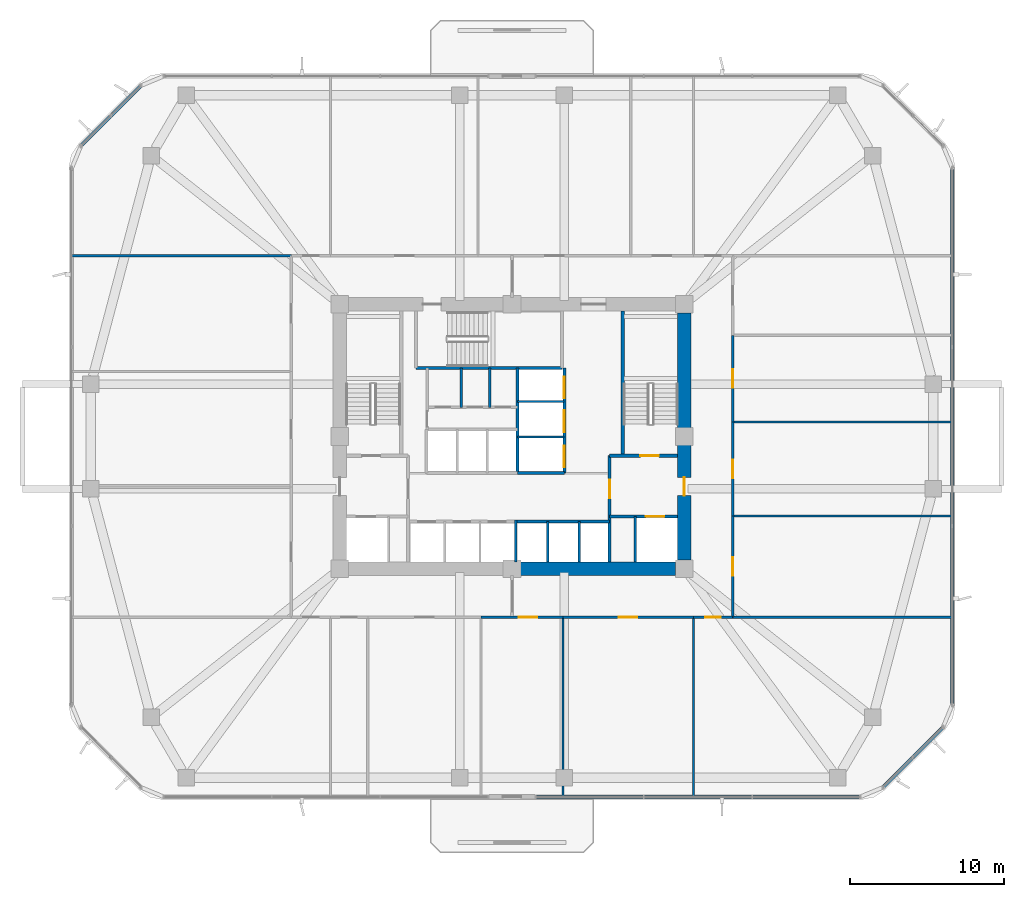
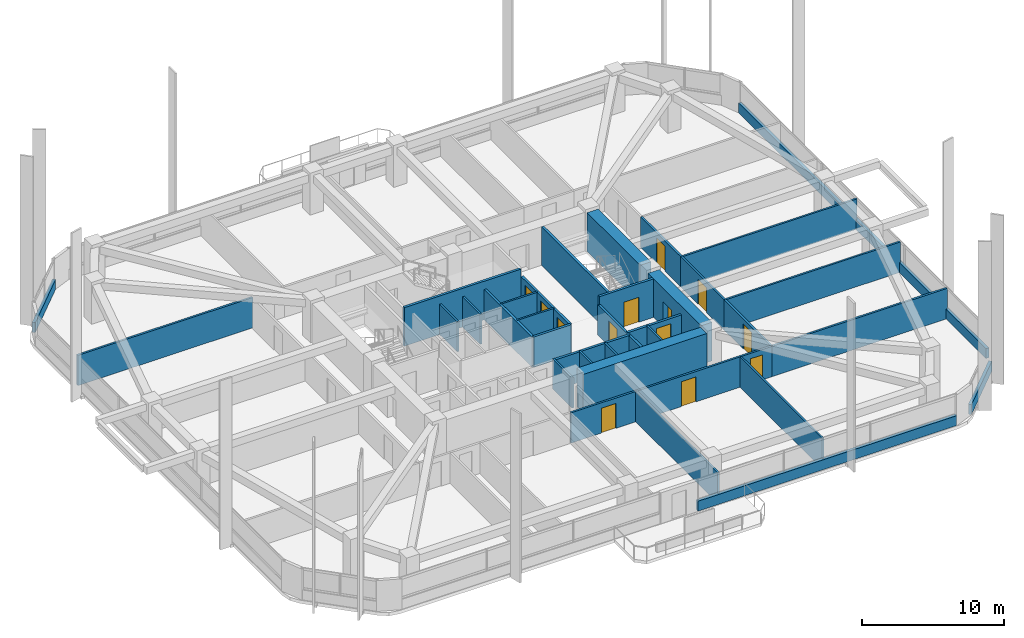
# One storey, part 10 of 17: 36 walls, 13 doors, 13 openings.
"""IFC4 building model written with IfcOpenShell, lengths in metres."""

import ifcopenshell
import ifcopenshell.guid

model = None  # the IFC model being written
_history = None  # IfcOwnerHistory: only IFC2X3 demands one
_inside = {}  # id of a spatial element -> (the spatial element, [elements in it])
_under = {}  # id of a project, library or spatial element -> (it, [spatial elements below it])
_declared = {}  # id of a project -> (the project, [libraries it declares])
_typed = {}  # id of a type object -> (the type object, [elements of that type])
_made_of = {}  # id of a material, layer set ... -> (it, [elements and type objects made of it])


def new_model(schema):
    """Start an empty IFC model of exactly this schema.

    Asked for "IFC4X3", IfcOpenShell would pick the latest addendum, in which some entities
    have other attributes; the version numbers below select the first issue.
    IFC2X3 requires an IfcOwnerHistory on every rooted entity: one is made here for all.
    """
    global model, _history
    if schema == "IFC4X3":
        model = ifcopenshell.file(schema_version=(4, 3, 0, 0))
    else:
        model = ifcopenshell.file(schema=schema)
    _inside.clear()
    _under.clear()
    _declared.clear()
    _typed.clear()
    _made_of.clear()
    _history = None
    if model.schema == "IFC2X3":
        org = make("IfcOrganization", Name="unknown")
        user = make(
            "IfcPersonAndOrganization",
            ThePerson=make("IfcPerson", FamilyName="unknown"),
            TheOrganization=org,
        )
        app = make(
            "IfcApplication",
            ApplicationDeveloper=org,
            Version="unknown",
            ApplicationFullName="unknown",
            ApplicationIdentifier="unknown",
        )
        _history = make(
            "IfcOwnerHistory",
            OwningUser=user,
            OwningApplication=app,
            ChangeAction="ADDED",
            CreationDate=0,
        )
    return model


def make(cls, **values):
    """One entity of the class cls with the attributes given. An attribute that is None is left unset."""
    return model.create_entity(
        cls, **{name: value for name, value in values.items() if value is not None}
    )


def rooted(cls, **values):
    """An entity with a GlobalId (a new one), such as an element, a storey or a relation."""
    return make(cls, GlobalId=ifcopenshell.guid.new(), OwnerHistory=_history, **values)


def si_unit(unit_type, name, prefix=None):
    """IfcSIUnit, for example si_unit("LENGTHUNIT", "METRE", prefix="MILLI")."""
    return make("IfcSIUnit", UnitType=unit_type, Prefix=prefix, Name=name)


def derived_unit(unit_type, elements):
    """IfcDerivedUnit: a product of units, each with its exponent."""
    return make(
        "IfcDerivedUnit",
        Elements=[
            make("IfcDerivedUnitElement", Unit=unit, Exponent=power)
            for unit, power in elements
        ],
        UnitType=unit_type,
    )


def assignment(units):
    """IfcUnitAssignment: the units of a project."""
    return None if units is None else make("IfcUnitAssignment", Units=units)


def point(xyz):
    """IfcCartesianPoint."""
    return None if xyz is None else make("IfcCartesianPoint", Coordinates=xyz)


def direction(xyz):
    """IfcDirection."""
    return None if xyz is None else make("IfcDirection", DirectionRatios=xyz)


def frame(location, z_axis=None, x_axis=None):
    """IfcAxis2Placement3D, a coordinate frame: its origin and axes. An axis left out is left unset."""
    return make(
        "IfcAxis2Placement3D",
        Location=point(location),
        Axis=direction(z_axis),
        RefDirection=direction(x_axis),
    )


def frame_2d(location, x_axis=None):
    """IfcAxis2Placement2D, a coordinate frame in the plane: its origin and x axis."""
    return make(
        "IfcAxis2Placement2D", Location=point(location), RefDirection=direction(x_axis)
    )


def origin():
    """The frame at (0, 0, 0) with its axes left unset."""
    return frame((0.0, 0.0, 0.0))


def place(relative_to, where):
    """IfcLocalPlacement: puts the frame where relative to a parent placement (None: the world)."""
    return make(
        "IfcLocalPlacement", PlacementRelTo=relative_to, RelativePlacement=where
    )


def context(
    kind, dimensions, precision=None, world=None, true_north=None, identifier=None
):
    """IfcGeometricRepresentationContext, for example the 3D "Model" context."""
    return make(
        "IfcGeometricRepresentationContext",
        ContextIdentifier=identifier,
        ContextType=kind,
        CoordinateSpaceDimension=dimensions,
        Precision=precision,
        WorldCoordinateSystem=world,
        TrueNorth=true_north,
    )


def subcontext(parent, identifier, kind, view, scale=None):
    """IfcGeometricRepresentationSubContext, for example "Body" below "Model"."""
    return make(
        "IfcGeometricRepresentationSubContext",
        ContextIdentifier=identifier,
        ContextType=kind,
        ParentContext=parent,
        TargetScale=scale,
        TargetView=view,
    )


def project(units=None, contexts=None):
    """IfcProject with its units and contexts."""
    return rooted(
        "IfcProject",
        Name="project",
        RepresentationContexts=contexts,
        UnitsInContext=assignment(units),
    )


def spatial(cls, under=None, at=None, **own):
    """A site, building, storey or space (cls), placed at a placement, below another one or the project."""
    s = rooted(cls, ObjectPlacement=at, **own)
    if under is not None:
        _under.setdefault(under.id(), (under, []))[1].append(s)
    return s


def profile(cls, at=None, kind="AREA", **sizes):
    """A parametric profile (cls). Its sizes go by their IFC names, for example OverallWidth=200.0."""
    return make(cls, ProfileType=kind, Position=at, **sizes)


def rectangle(**sizes):
    """IfcRectangleProfileDef."""
    return profile("IfcRectangleProfileDef", **sizes)


def extrude(swept, where, along, depth):
    """IfcExtrudedAreaSolid: the profile swept, set in the frame where, extruded along a direction by depth."""
    return make(
        "IfcExtrudedAreaSolid",
        SweptArea=swept,
        Position=where,
        ExtrudedDirection=direction(along),
        Depth=depth,
    )


def shape(context_of_items, identifier, shape_type, items):
    """IfcShapeRepresentation: the items that make up one representation, for example the "Body"."""
    return make(
        "IfcShapeRepresentation",
        ContextOfItems=context_of_items,
        RepresentationIdentifier=identifier,
        RepresentationType=shape_type,
        Items=items,
    )


def material(Name=None, Category=None):
    """IfcMaterial."""
    return make("IfcMaterial", Name=Name, Category=Category)


def layer(
    of_material, thickness, ventilated=None, Name=None, Category=None, Priority=None
):
    """IfcMaterialLayer: one layer of a wall or slab, of a material (None: an air gap)."""
    return make(
        "IfcMaterialLayer",
        Material=of_material,
        LayerThickness=thickness,
        IsVentilated=ventilated,
        Name=Name,
        Category=Category,
        Priority=Priority,
    )


def layer_set(layers, Name=None):
    """IfcMaterialLayerSet."""
    return make("IfcMaterialLayerSet", MaterialLayers=layers, LayerSetName=Name)


def made_of(thing, what):
    """Note that an element or type object is made of a material, layer set ...; save() writes the relation."""
    if what is not None:
        _made_of.setdefault(what.id(), (what, []))[1].append(thing)
    return thing


def type_object(cls, material=None, **own):
    """A type object (cls), such as IfcWallType, which elements share."""
    return made_of(rooted(cls, **own), material)


def element(
    cls,
    number,
    at=None,
    inside=None,
    cuts=None,
    type_object=None,
    material=None,
    context=None,
    identifier="Body",
    shape_type=None,
    held_by="IfcProductDefinitionShape",
    body=None,
    shapes=None,
    **own,
):
    """One element of the class cls, such as IfcWall. Its Tag is "e" and its number.

    at: its placement. inside: the storey or other place that contains it. cuts: it is an
    opening in that element (IfcRelVoidsElement). A single representation is given by context,
    identifier, shape_type and body (its items); several are given by shapes. held_by: the class
    of the entity that holds the representations. save() writes the other relations.
    """
    e = rooted(cls, Tag="e%d" % number, ObjectPlacement=at, **own)
    if body is not None:
        shapes = [shape(context, identifier, shape_type, body)]
    if shapes is not None:
        e.Representation = make(held_by, Representations=shapes)
    if inside is not None:
        _inside.setdefault(inside.id(), (inside, []))[1].append(e)
    if cuts is not None:
        rooted(
            "IfcRelVoidsElement", RelatingBuildingElement=cuts, RelatedOpeningElement=e
        )
    if type_object is not None:
        _typed.setdefault(type_object.id(), (type_object, []))[1].append(e)
    return made_of(e, material)


def fill(opening, filler):
    """IfcRelFillsElement: the door or window that sits in an opening."""
    return rooted(
        "IfcRelFillsElement",
        RelatingOpeningElement=opening,
        RelatedBuildingElement=filler,
    )


def aggregate(whole, parts):
    """IfcRelAggregates: a whole, such as a stair, and the parts it consists of."""
    return rooted("IfcRelAggregates", RelatingObject=whole, RelatedObjects=parts)


def save(model, path):
    """Write the relations noted so far, then the file.

    IfcRelAggregates (storeys below a building ...), IfcRelContainedInSpatialStructure (elements
    in a storey), IfcRelDefinesByType, IfcRelAssociatesMaterial and IfcRelDeclares: one each for
    every whole, place, type object, material and project.
    """
    for whole, parts in _under.values():
        aggregate(whole, parts)
    for where, things in _inside.values():
        rooted(
            "IfcRelContainedInSpatialStructure",
            RelatedElements=things,
            RelatingStructure=where,
        )
    for kind, things in _typed.values():
        rooted("IfcRelDefinesByType", RelatedObjects=things, RelatingType=kind)
    for what, things in _made_of.values():
        rooted("IfcRelAssociatesMaterial", RelatedObjects=things, RelatingMaterial=what)
    for by, libraries in _declared.values():
        rooted("IfcRelDeclares", RelatingContext=by, RelatedDefinitions=libraries)
    model.write(path)


model = new_model("IFC4")

# Units and contexts
model_context = context("Model", 3, precision=1e-05, world=origin(), true_north=direction((0.0, 1.0)))
body_context = subcontext(model_context, "Body", "Model", "MODEL_VIEW")
ifc_project = project(units=[si_unit("LENGTHUNIT", "METRE"), si_unit("AREAUNIT", "SQUARE_METRE"), si_unit("VOLUMEUNIT", "CUBIC_METRE"), si_unit("PLANEANGLEUNIT", "RADIAN"), si_unit("MASSUNIT", "GRAM", prefix="KILO"), derived_unit("THERMALTRANSMITTANCEUNIT", [(si_unit("POWERUNIT", "WATT"), 1), (si_unit("LENGTHUNIT", "METRE"), -2), (si_unit("THERMODYNAMICTEMPERATUREUNIT", "KELVIN"), -1)])], contexts=[model_context])

# Site, building, storey
site_placement = place(None, origin())
site = spatial("IfcSite", under=ifc_project, at=site_placement, CompositionType="ELEMENT")
building_placement = place(site_placement, origin())
building = spatial("IfcBuilding", under=site, at=building_placement, Name="Koralith Skygarden Medical Center", CompositionType="ELEMENT")
storey_placement = place(building_placement, frame((0.0, 0.0, 23.93994140625)))
storey = spatial("IfcBuildingStorey", under=building, at=storey_placement, Name="L05", CompositionType="ELEMENT", Elevation=23.93994140625)

# Walls
ifc_material_1 = material(Name="Gypsum Board Partition")
ifc_layer_1 = layer(ifc_material_1, 0.14990234375)
ifc_layer_set_1 = layer_set([ifc_layer_1], Name="Gypsum Board Partition")
wall_type_1 = type_object("IfcWallType", Name="Clinical Acoustic Partition 150", PredefinedType="PARTITIONING", material=ifc_layer_set_1)
for number, where, z_axis, x_axis, name in (
    (1, (33.699951171875, 27.800048828125, 0.0), (0.0, 0.0, 1.0), (0.0, 1.0, 0.0), "L05 Clinical Acoustic Partition 150 W-CORE-L05-FLEX-V2A"),
    (2, (35.56005859375, 27.800048828125, 0.0), (0.0, 0.0, 1.0), (0.0, 1.0, 0.0), "L05 Clinical Acoustic Partition 150 W-CORE-L05-FLEX-V2B"),
):
    element("IfcWall", number, at=place(storey_placement, frame(where, z_axis=z_axis, x_axis=x_axis)), inside=storey, type_object=wall_type_1, Name=name, PredefinedType="PARTITIONING", context=body_context, shape_type="SweptSolid", body=[
        extrude(rectangle(XDim=2.56005859375, YDim=0.14990234375, at=frame_2d((1.280029296875, 0.0))), origin(), (0.0, 0.0, 1.0), 2.610107421875),
    ])
for number, where, z_axis, x_axis, name in (
    (3, (40.31005859375, 14.14990234375, 0.0), (0.0, 0.0, 1.0), (0.0, -1.0, 0.0), "L05 Clinical Acoustic Partition 150 W-PART-L05-S-04"),
    (4, (48.800048828125, 14.14990234375, 0.0), (0.0, 0.0, 1.0), (0.0, -1.0, 0.0), "L05 Clinical Acoustic Partition 150 W-PART-L05-S-05"),
):
    element("IfcWall", number, at=place(storey_placement, frame(where, z_axis=z_axis, x_axis=x_axis)), inside=storey, type_object=wall_type_1, Name=name, PredefinedType="PARTITIONING", context=body_context, shape_type="SweptSolid", body=[
        extrude(rectangle(XDim=11.64990234375, YDim=0.14990234375, at=frame_2d((5.824951171875, 0.0))), origin(), (0.0, 0.0, 1.0), 2.610107421875),
    ])
for number, where, z_axis, x_axis, name in (
    (5, (51.35009765625, 20.72998046875, 0.0), (0.0, 0.0, 1.0), (1.0, 0.0, 0.0), "L05 Clinical Acoustic Partition 150 W-PART-L05-E-01"),
    (6, (51.35009765625, 26.840087890625, 0.0), (0.0, 0.0, 1.0), (1.0, 0.0, 0.0), "L05 Clinical Acoustic Partition 150 W-PART-L05-E-02"),
):
    element("IfcWall", number, at=place(storey_placement, frame(where, z_axis=z_axis, x_axis=x_axis)), inside=storey, type_object=wall_type_1, Name=name, PredefinedType="PARTITIONING", context=body_context, shape_type="SweptSolid", body=[
        extrude(rectangle(XDim=14.25, YDim=0.14990234375, at=frame_2d((7.125, 0.0))), origin(), (0.0, 0.0, 1.0), 2.610107421875),
    ])
ifc_layer_2 = layer(ifc_material_1, 0.1650390625)
ifc_layer_set_2 = layer_set([ifc_layer_2], Name="Gypsum Board Partition")
wall_type_2 = type_object("IfcWallType", Name="Clinical Corridor Partition 165", PredefinedType="PARTITIONING", material=ifc_layer_set_2)
for number, where, z_axis, x_axis, name in (
    (7, (8.39990234375, 37.64990234375, 0.0), (0.0, 0.0, 1.0), (1.0, 0.0, 0.0), "L05 Clinical Corridor Partition 165 W-WB-L05-NW"),
    (8, (51.35009765625, 14.14990234375, 0.0), (0.0, 0.0, 1.0), (1.0, 0.0, 0.0), "L05 Clinical Corridor Partition 165 W-WB-L05-SE"),
):
    element("IfcWall", number, at=place(storey_placement, frame(where, z_axis=z_axis, x_axis=x_axis)), inside=storey, type_object=wall_type_2, Name=name, PredefinedType="PARTITIONING", context=body_context, shape_type="SweptSolid", body=[
        extrude(rectangle(XDim=14.25, YDim=0.1650390625, at=frame_2d((7.125, 0.0))), origin(), (0.0, 0.0, 1.0), 2.610107421875),
    ])

# Wall, opening, door
wall_1_placement = place(storey_placement, frame((34.98095703125, 14.14990234375, 0.0), z_axis=(0.0, 0.0, 1.0), x_axis=(1.0, 0.0, 0.0)))
wall_1 = element("IfcWall", 9, at=wall_1_placement, inside=storey, type_object=wall_type_2, Name="L05 Clinical Corridor Partition 165 W-CORR-L05-S-04", PredefinedType="PARTITIONING", context=body_context, shape_type="SweptSolid", body=[
    extrude(rectangle(XDim=5.3291015625, YDim=0.1650390625, at=frame_2d((2.66455078125, 0.0))), origin(), (0.0, 0.0, 1.0), 2.610107421875),
])
opening_1_placement = place(wall_1_placement, frame((2.4619140625, 0.0, 0.0)))
opening_1 = element("IfcOpeningElement", 10, at=opening_1_placement, cuts=wall_1, Name="Opening D-CLN", PredefinedType="OPENING", context=body_context, shape_type="SweptSolid", body=[
    extrude(rectangle(XDim=1.199951171875, YDim=2.14990234375, at=frame_2d((0.60009765625, 1.074951171875))), frame((0.0, 0.092529296875, 0.0), z_axis=(0.0, -1.0, 0.0), x_axis=(1.0, 0.0, 0.0)), (0.0, 0.0, 1.0), 0.18505859375),
])
ifc_material_2 = material(Name="Aluminium 6063-T6", Category="aluminium")
door_type_1 = type_object("IfcDoorType", Name="Clinical Corridor Door D-CLN 1200", OperationType="NOTDEFINED", PredefinedType="DOOR", material=ifc_material_2)
door_1_placement = place(opening_1_placement, frame((1.199951171875, 0.0, 0.0), z_axis=(0.0, 0.0, 1.0), x_axis=(-1.0, 0.0, 0.0)))
door_1 = element("IfcDoor", 11, at=door_1_placement, inside=storey, type_object=door_type_1, Name="L05 Patient and Family Sky-Garden Day Lounge 09 Door", OperationType="SINGLE_SWING_RIGHT", OverallHeight=2.14990234375, OverallWidth=1.199951171875, PredefinedType="DOOR", context=body_context, shape_type="SweptSolid", body=[
    extrude(rectangle(XDim=1.199951171875, YDim=2.14990234375, at=frame_2d((0.60009765625, 1.074951171875))), frame((0.0, 0.02490234375, 0.0), z_axis=(0.0, -1.0, 0.0), x_axis=(1.0, 0.0, 0.0)), (0.0, 0.0, 1.0), 0.050048828125),
])
fill(opening_1, door_1)

wall_2_placement = place(storey_placement, frame((40.31005859375, 14.14990234375, 0.0), z_axis=(0.0, 0.0, 1.0), x_axis=(1.0, 0.0, 0.0)))
wall_2 = element("IfcWall", 12, at=wall_2_placement, inside=storey, type_object=wall_type_2, Name="L05 Clinical Corridor Partition 165 W-CORR-L05-S-05", PredefinedType="PARTITIONING", context=body_context, shape_type="SweptSolid", body=[
    extrude(rectangle(XDim=8.489990234375, YDim=0.1650390625, at=frame_2d((4.2451171875, 0.0))), origin(), (0.0, 0.0, 1.0), 2.610107421875),
])
opening_2_placement = place(wall_2_placement, frame((3.64501953125, 0.0, 0.0)))
opening_2 = element("IfcOpeningElement", 13, at=opening_2_placement, cuts=wall_2, Name="Opening D-CLN", PredefinedType="OPENING", context=body_context, shape_type="SweptSolid", body=[
    extrude(rectangle(XDim=1.199951171875, YDim=2.14990234375, at=frame_2d((0.60009765625, 1.074951171875))), frame((0.0, 0.092529296875, 0.0), z_axis=(0.0, -1.0, 0.0), x_axis=(1.0, 0.0, 0.0)), (0.0, 0.0, 1.0), 0.18505859375),
])
door_2_placement = place(opening_2_placement, frame((1.199951171875, 0.0, 0.0), z_axis=(0.0, 0.0, 1.0), x_axis=(-1.0, 0.0, 0.0)))
door_2 = element("IfcDoor", 14, at=door_2_placement, inside=storey, type_object=door_type_1, Name="L05 Clinical Consultation Office 10 Door", OperationType="SINGLE_SWING_LEFT", OverallHeight=2.14990234375, OverallWidth=1.199951171875, PredefinedType="DOOR", context=body_context, shape_type="SweptSolid", body=[
    extrude(rectangle(XDim=1.199951171875, YDim=2.14990234375, at=frame_2d((0.60009765625, 1.074951171875))), frame((0.0, 0.02490234375, 0.0), z_axis=(0.0, -1.0, 0.0), x_axis=(1.0, 0.0, 0.0)), (0.0, 0.0, 1.0), 0.050048828125),
])
fill(opening_2, door_2)

wall_3_placement = place(storey_placement, frame((48.800048828125, 14.14990234375, 0.0), z_axis=(0.0, 0.0, 1.0), x_axis=(1.0, 0.0, 0.0)))
wall_3 = element("IfcWall", 15, at=wall_3_placement, inside=storey, type_object=wall_type_2, Name="L05 Clinical Corridor Partition 165 W-CORR-L05-S-06", PredefinedType="PARTITIONING", context=body_context, shape_type="SweptSolid", body=[
    extrude(rectangle(XDim=2.550048828125, YDim=0.1650390625, at=frame_2d((1.27490234375, 0.0))), origin(), (0.0, 0.0, 1.0), 2.610107421875),
])
opening_3_placement = place(wall_3_placement, frame((0.77490234375, 0.0, 0.0)))
opening_3 = element("IfcOpeningElement", 16, at=opening_3_placement, cuts=wall_3, Name="Opening D-SUP", PredefinedType="OPENING", context=body_context, shape_type="SweptSolid", body=[
    extrude(rectangle(XDim=1.0, YDim=2.14990234375, at=frame_2d((0.5, 1.074951171875))), frame((0.0, 0.092529296875, 0.0), z_axis=(0.0, -1.0, 0.0), x_axis=(1.0, 0.0, 0.0)), (0.0, 0.0, 1.0), 0.18505859375),
])
door_type_2 = type_object("IfcDoorType", Name="Clinical Support Door D-SUP 1000", OperationType="NOTDEFINED", PredefinedType="DOOR", material=ifc_material_2)
door_3_placement = place(opening_3_placement, frame((1.0, 0.0, 0.0), z_axis=(0.0, 0.0, 1.0), x_axis=(-1.0, 0.0, 0.0)))
door_3 = element("IfcDoor", 17, at=door_3_placement, inside=storey, type_object=door_type_2, Name="L05 Decentralized Nurse Charting Station 11 Door", OperationType="SINGLE_SWING_RIGHT", OverallHeight=2.14990234375, OverallWidth=1.0, PredefinedType="DOOR", context=body_context, shape_type="SweptSolid", body=[
    extrude(rectangle(XDim=1.0, YDim=2.14990234375, at=frame_2d((0.5, 1.074951171875))), frame((0.0, 0.02490234375, 0.0), z_axis=(0.0, -1.0, 0.0), x_axis=(1.0, 0.0, 0.0)), (0.0, 0.0, 1.0), 0.050048828125),
])
fill(opening_3, door_3)

wall_4_placement = place(storey_placement, frame((51.35009765625, 14.14990234375, 0.0), z_axis=(0.0, 0.0, 1.0), x_axis=(0.0, 1.0, 0.0)))
wall_4 = element("IfcWall", 18, at=wall_4_placement, inside=storey, type_object=wall_type_2, Name="L05 Clinical Corridor Partition 165 W-CORR-L05-E-01", PredefinedType="PARTITIONING", context=body_context, shape_type="SweptSolid", body=[
    extrude(rectangle(XDim=6.580078125, YDim=0.1650390625, at=frame_2d((3.2900390625, 0.0))), origin(), (0.0, 0.0, 1.0), 2.610107421875),
])
opening_4_placement = place(wall_4_placement, frame((2.68994140625, 0.0, 0.0)))
opening_4 = element("IfcOpeningElement", 19, at=opening_4_placement, cuts=wall_4, Name="Opening D-CLN", PredefinedType="OPENING", context=body_context, shape_type="SweptSolid", body=[
    extrude(rectangle(XDim=1.199951171875, YDim=2.14990234375, at=frame_2d((0.60009765625, 1.074951171875))), frame((0.0, 0.092529296875, 0.0), z_axis=(0.0, -1.0, 0.0), x_axis=(1.0, 0.0, 0.0)), (0.0, 0.0, 1.0), 0.18505859375),
])
door_4_placement = place(opening_4_placement, origin())
door_4 = element("IfcDoor", 20, at=door_4_placement, inside=storey, type_object=door_type_1, Name="L05 Decentralized Nurse Charting Station 15 Door", OperationType="SINGLE_SWING_RIGHT", OverallHeight=2.14990234375, OverallWidth=1.199951171875, PredefinedType="DOOR", context=body_context, shape_type="SweptSolid", body=[
    extrude(rectangle(XDim=1.199951171875, YDim=2.14990234375, at=frame_2d((0.60009765625, 1.074951171875))), frame((0.0, 0.02490234375, 0.0), z_axis=(0.0, -1.0, 0.0), x_axis=(1.0, 0.0, 0.0)), (0.0, 0.0, 1.0), 0.050048828125),
])
fill(opening_4, door_4)

wall_5_placement = place(storey_placement, frame((51.35009765625, 20.72998046875, 0.0), z_axis=(0.0, 0.0, 1.0), x_axis=(0.0, 1.0, 0.0)))
wall_5 = element("IfcWall", 21, at=wall_5_placement, inside=storey, type_object=wall_type_2, Name="L05 Clinical Corridor Partition 165 W-CORR-L05-E-02", PredefinedType="PARTITIONING", context=body_context, shape_type="SweptSolid", body=[
    extrude(rectangle(XDim=6.110107421875, YDim=0.1650390625, at=frame_2d((3.05517578125, 0.0))), origin(), (0.0, 0.0, 1.0), 2.610107421875),
])
opening_5_placement = place(wall_5_placement, frame((2.455078125, 0.0, 0.0)))
opening_5 = element("IfcOpeningElement", 22, at=opening_5_placement, cuts=wall_5, Name="Opening D-CLN", PredefinedType="OPENING", context=body_context, shape_type="SweptSolid", body=[
    extrude(rectangle(XDim=1.199951171875, YDim=2.14990234375, at=frame_2d((0.60009765625, 1.074951171875))), frame((0.0, 0.092529296875, 0.0), z_axis=(0.0, -1.0, 0.0), x_axis=(1.0, 0.0, 0.0)), (0.0, 0.0, 1.0), 0.18505859375),
])
door_5_placement = place(opening_5_placement, origin())
door_5 = element("IfcDoor", 23, at=door_5_placement, inside=storey, type_object=door_type_1, Name="L05 Clinical Examination Room 16 Door", OperationType="SINGLE_SWING_LEFT", OverallHeight=2.14990234375, OverallWidth=1.199951171875, PredefinedType="DOOR", context=body_context, shape_type="SweptSolid", body=[
    extrude(rectangle(XDim=1.199951171875, YDim=2.14990234375, at=frame_2d((0.60009765625, 1.074951171875))), frame((0.0, 0.02490234375, 0.0), z_axis=(0.0, -1.0, 0.0), x_axis=(1.0, 0.0, 0.0)), (0.0, 0.0, 1.0), 0.050048828125),
])
fill(opening_5, door_5)

wall_6_placement = place(storey_placement, frame((51.35009765625, 26.840087890625, 0.0), z_axis=(0.0, 0.0, 1.0), x_axis=(0.0, 1.0, 0.0)))
wall_6 = element("IfcWall", 24, at=wall_6_placement, inside=storey, type_object=wall_type_2, Name="L05 Clinical Corridor Partition 165 W-CORR-L05-E-03", PredefinedType="PARTITIONING", context=body_context, shape_type="SweptSolid", body=[
    extrude(rectangle(XDim=5.639892578125, YDim=0.1650390625, at=frame_2d((2.81982421875, 0.0))), origin(), (0.0, 0.0, 1.0), 2.610107421875),
])
opening_6_placement = place(wall_6_placement, frame((2.219970703125, 0.0, 0.0)))
opening_6 = element("IfcOpeningElement", 25, at=opening_6_placement, cuts=wall_6, Name="Opening D-CLN", PredefinedType="OPENING", context=body_context, shape_type="SweptSolid", body=[
    extrude(rectangle(XDim=1.199951171875, YDim=2.14990234375, at=frame_2d((0.60009765625, 1.074951171875))), frame((0.0, 0.092529296875, 0.0), z_axis=(0.0, -1.0, 0.0), x_axis=(1.0, 0.0, 0.0)), (0.0, 0.0, 1.0), 0.18505859375),
])
door_6_placement = place(opening_6_placement, origin())
door_6 = element("IfcDoor", 26, at=door_6_placement, inside=storey, type_object=door_type_1, Name="L05 Attending Physician Consultation Office 17 Door", OperationType="SINGLE_SWING_RIGHT", OverallHeight=2.14990234375, OverallWidth=1.199951171875, PredefinedType="DOOR", context=body_context, shape_type="SweptSolid", body=[
    extrude(rectangle(XDim=1.199951171875, YDim=2.14990234375, at=frame_2d((0.60009765625, 1.074951171875))), frame((0.0, 0.02490234375, 0.0), z_axis=(0.0, -1.0, 0.0), x_axis=(1.0, 0.0, 0.0)), (0.0, 0.0, 1.0), 0.050048828125),
])
fill(opening_6, door_6)

ifc_layer_3 = layer(ifc_material_1, 0.199951171875)
ifc_layer_set_3 = layer_set([ifc_layer_3], Name="Gypsum Board Partition")
wall_type_3 = type_object("IfcWallType", Name="Fire Shaft Wall 200", PredefinedType="SOLIDWALL", material=ifc_layer_set_3)
wall_7_placement = place(storey_placement, frame((43.35009765625, 20.699951171875, 0.0), z_axis=(0.0, 0.0, 1.0), x_axis=(1.0, 0.0, 0.0)))
wall_7 = element("IfcWall", 27, at=wall_7_placement, inside=storey, type_object=wall_type_3, Name="L05 Fire Shaft Wall 200 W-CORE-L05-FF2-N", PredefinedType="SOLIDWALL", context=body_context, shape_type="SweptSolid", body=[
    extrude(rectangle(XDim=4.39990234375, YDim=0.199951171875, at=frame_2d((2.199951171875, 0.0))), origin(), (0.0, 0.0, 1.0), 2.610107421875),
])
opening_7_placement = place(wall_7_placement, frame((2.35009765625, 0.0, 0.0)))
opening_7 = element("IfcOpeningElement", 28, at=opening_7_placement, cuts=wall_7, Name="Opening LD-FF", PredefinedType="OPENING", context=body_context, shape_type="SweptSolid", body=[
    extrude(rectangle(XDim=1.199951171875, YDim=2.14990234375, at=frame_2d((0.60009765625, 1.074951171875))), frame((0.0, 0.10986328125, 0.0), z_axis=(0.0, -1.0, 0.0), x_axis=(1.0, 0.0, 0.0)), (0.0, 0.0, 1.0), 0.219970703125),
])
ifc_material_3 = material(Name="Steel ASTM A500 Grade C", Category="steel")
door_type_3 = type_object("IfcDoorType", Name="Fire Lift Sliding Landing Door LD-FF 1200", OperationType="NOTDEFINED", PredefinedType="DOOR", material=ifc_material_3)
door_7_placement = place(opening_7_placement, origin())
door_7 = element("IfcDoor", 29, at=door_7_placement, inside=storey, type_object=door_type_3, Name="L05 Fire Service Elevator FF2 Landing Door", OperationType="SLIDING_TO_RIGHT", OverallHeight=2.14990234375, OverallWidth=1.199951171875, PredefinedType="DOOR", context=body_context, shape_type="SweptSolid", body=[
    extrude(rectangle(XDim=1.199951171875, YDim=2.14990234375, at=frame_2d((0.60009765625, 1.074951171875))), frame((0.0, 0.02490234375, 0.0), z_axis=(0.0, -1.0, 0.0), x_axis=(1.0, 0.0, 0.0)), (0.0, 0.0, 1.0), 0.050048828125),
])
fill(opening_7, door_7)

wall_8_placement = place(storey_placement, frame((43.35009765625, 17.75, 0.0), z_axis=(0.0, 0.0, 1.0), x_axis=(0.0, 1.0, 0.0)))
wall_8 = element("IfcWall", 30, at=wall_8_placement, inside=storey, type_object=wall_type_3, Name="L05 Fire Shaft Wall 200 W-CORE-L05-FSAEE-W", PredefinedType="SOLIDWALL", context=body_context, shape_type="SweptSolid", body=[
    extrude(rectangle(XDim=6.89990234375, YDim=0.199951171875, at=frame_2d((3.449951171875, 0.0))), origin(), (0.0, 0.0, 1.0), 2.610107421875),
])
opening_8_placement = place(wall_8_placement, frame((4.14990234375, 0.0, 0.0)))
opening_8 = element("IfcOpeningElement", 31, at=opening_8_placement, cuts=wall_8, Name="Opening D-ST60", PredefinedType="OPENING", context=body_context, shape_type="SweptSolid", body=[
    extrude(rectangle(XDim=1.199951171875, YDim=2.14990234375, at=frame_2d((0.60009765625, 1.074951171875))), frame((0.0, 0.10986328125, 0.0), z_axis=(0.0, -1.0, 0.0), x_axis=(1.0, 0.0, 0.0)), (0.0, 0.0, 1.0), 0.219970703125),
])
door_type_4 = type_object("IfcDoorType", Name="Smokeproof Stair Fire Door FD60S 1200", OperationType="NOTDEFINED", PredefinedType="DOOR", material=ifc_material_3)
door_8_placement = place(opening_8_placement, frame((1.199951171875, 0.0, 0.0), z_axis=(0.0, 0.0, 1.0), x_axis=(-1.0, 0.0, 0.0)))
door_8 = element("IfcDoor", 32, at=door_8_placement, inside=storey, type_object=door_type_4, Name="L05 East Firefighting Lobby Inner Fire Door", OperationType="SINGLE_SWING_RIGHT", OverallHeight=2.14990234375, OverallWidth=1.199951171875, PredefinedType="DOOR", context=body_context, shape_type="SweptSolid", body=[
    extrude(rectangle(XDim=1.199951171875, YDim=2.14990234375, at=frame_2d((0.60009765625, 1.074951171875))), frame((0.0, 0.02490234375, 0.0), z_axis=(0.0, -1.0, 0.0), x_axis=(1.0, 0.0, 0.0)), (0.0, 0.0, 1.0), 0.050048828125),
])
fill(opening_8, door_8)

# Walls
wall_9_placement = place(storey_placement, frame((37.25, 20.360107421875, 0.0), z_axis=(0.0, 0.0, 1.0), x_axis=(1.0, 0.0, 0.0)))
element("IfcWall", 33, at=wall_9_placement, inside=storey, type_object=wall_type_3, Name="L05 Fire Shaft Wall 200 W-CORE-L05-PM-N", PredefinedType="SOLIDWALL", context=body_context, shape_type="SweptSolid", body=[
    extrude(rectangle(XDim=6.10009765625, YDim=0.199951171875, at=frame_2d((3.050048828125, 0.0))), origin(), (0.0, 0.0, 1.0), 2.610107421875),
])
wall_10_placement = place(storey_placement, frame((37.35009765625, 23.5400390625, 0.0), z_axis=(0.0, 0.0, 1.0), x_axis=(0.0, 1.0, 0.0)))
element("IfcWall", 34, at=wall_10_placement, inside=storey, type_object=wall_type_3, Name="L05 Fire Shaft Wall 200 W-CORE-L05-SV-W", PredefinedType="SOLIDWALL", context=body_context, shape_type="SweptSolid", body=[
    extrude(rectangle(XDim=6.820068359375, YDim=0.199951171875, at=frame_2d((3.41015625, 0.0))), origin(), (0.0, 0.0, 1.0), 2.610107421875),
])
wall_11_placement = place(storey_placement, frame((37.35009765625, 23.5400390625, 0.0), z_axis=(0.0, 0.0, 1.0), x_axis=(1.0, 0.0, 0.0)))
element("IfcWall", 35, at=wall_11_placement, inside=storey, type_object=wall_type_3, Name="L05 Fire Shaft Wall 200 W-CORE-L05-SV-S", PredefinedType="SOLIDWALL", context=body_context, shape_type="SweptSolid", body=[
    extrude(rectangle(XDim=3.0498046875, YDim=0.199951171875, at=frame_2d((1.52490234375, 0.0))), origin(), (0.0, 0.0, 1.0), 2.610107421875),
])

# Wall, openings, doors
wall_12_placement = place(storey_placement, frame((40.39990234375, 23.5400390625, 0.0), z_axis=(0.0, 0.0, 1.0), x_axis=(0.0, 1.0, 0.0)))
wall_12 = element("IfcWall", 36, at=wall_12_placement, inside=storey, type_object=wall_type_3, Name="L05 Fire Shaft Wall 200 W-CORE-L05-SV-E", PredefinedType="SOLIDWALL", context=body_context, shape_type="SweptSolid", body=[
    extrude(rectangle(XDim=6.820068359375, YDim=0.199951171875, at=frame_2d((3.41015625, 0.0))), origin(), (0.0, 0.0, 1.0), 2.610107421875),
])
opening_9_placement = place(wall_12_placement, frame((0.35009765625, 0.0, 0.0)))
opening_9 = element("IfcOpeningElement", 37, at=opening_9_placement, cuts=wall_12, Name="Opening LD-SV", PredefinedType="OPENING", context=body_context, shape_type="SweptSolid", body=[
    extrude(rectangle(XDim=1.39990234375, YDim=2.199951171875, at=frame_2d((0.699951171875, 1.10009765625))), frame((0.0, 0.10986328125, 0.0), z_axis=(0.0, -1.0, 0.0), x_axis=(1.0, 0.0, 0.0)), (0.0, 0.0, 1.0), 0.219970703125),
])
opening_10_placement = place(wall_12_placement, frame((2.64990234375, 0.0, 0.0)))
opening_10 = element("IfcOpeningElement", 38, at=opening_10_placement, cuts=wall_12, Name="Opening LD-SV", PredefinedType="OPENING", context=body_context, shape_type="SweptSolid", body=[
    extrude(rectangle(XDim=1.39990234375, YDim=2.199951171875, at=frame_2d((0.699951171875, 1.10009765625))), frame((0.0, 0.10986328125, 0.0), z_axis=(0.0, -1.0, 0.0), x_axis=(1.0, 0.0, 0.0)), (0.0, 0.0, 1.0), 0.219970703125),
])
opening_11_placement = place(wall_12_placement, frame((4.85009765625, 0.0, 0.0)))
opening_11 = element("IfcOpeningElement", 39, at=opening_11_placement, cuts=wall_12, Name="Opening LD-SV", PredefinedType="OPENING", context=body_context, shape_type="SweptSolid", body=[
    extrude(rectangle(XDim=1.39990234375, YDim=2.199951171875, at=frame_2d((0.699951171875, 1.10009765625))), frame((0.0, 0.10986328125, 0.0), z_axis=(0.0, -1.0, 0.0), x_axis=(1.0, 0.0, 0.0)), (0.0, 0.0, 1.0), 0.219970703125),
])
door_type_5 = type_object("IfcDoorType", Name="Bed Lift Sliding Landing Door LD-SV 1400", OperationType="NOTDEFINED", PredefinedType="DOOR", material=ifc_material_3)
door_9_placement = place(opening_9_placement, origin())
door_9 = element("IfcDoor", 40, at=door_9_placement, inside=storey, type_object=door_type_5, Name="L05 Bed Elevator BD1 Landing Door", OperationType="SLIDING_TO_LEFT", OverallHeight=2.199951171875, OverallWidth=1.39990234375, PredefinedType="DOOR", context=body_context, shape_type="SweptSolid", body=[
    extrude(rectangle(XDim=1.39990234375, YDim=2.199951171875, at=frame_2d((0.699951171875, 1.10009765625))), frame((0.0, 0.02490234375, 0.0), z_axis=(0.0, -1.0, 0.0), x_axis=(1.0, 0.0, 0.0)), (0.0, 0.0, 1.0), 0.050048828125),
])
fill(opening_9, door_9)
door_10_placement = place(opening_10_placement, origin())
door_10 = element("IfcDoor", 41, at=door_10_placement, inside=storey, type_object=door_type_5, Name="L05 Service Elevator BD2 Landing Door", OperationType="SLIDING_TO_LEFT", OverallHeight=2.199951171875, OverallWidth=1.39990234375, PredefinedType="DOOR", context=body_context, shape_type="SweptSolid", body=[
    extrude(rectangle(XDim=1.39990234375, YDim=2.199951171875, at=frame_2d((0.699951171875, 1.10009765625))), frame((0.0, 0.02490234375, 0.0), z_axis=(0.0, -1.0, 0.0), x_axis=(1.0, 0.0, 0.0)), (0.0, 0.0, 1.0), 0.050048828125),
])
fill(opening_10, door_10)
door_11_placement = place(opening_11_placement, origin())
door_11 = element("IfcDoor", 42, at=door_11_placement, inside=storey, type_object=door_type_5, Name="L05 Trauma Elevator TR1 Landing Door", OperationType="SLIDING_TO_RIGHT", OverallHeight=2.199951171875, OverallWidth=1.39990234375, PredefinedType="DOOR", context=body_context, shape_type="SweptSolid", body=[
    extrude(rectangle(XDim=1.39990234375, YDim=2.199951171875, at=frame_2d((0.699951171875, 1.10009765625))), frame((0.0, 0.02490234375, 0.0), z_axis=(0.0, -1.0, 0.0), x_axis=(1.0, 0.0, 0.0)), (0.0, 0.0, 1.0), 0.050048828125),
])
fill(opening_11, door_11)

# Walls
ifc_material_4 = material(Name="Warm Oolitic Limestone Cladding", Category="masonry")
ifc_layer_4 = layer(ifc_material_4, 0.239990234375)
ifc_layer_set_4 = layer_set([ifc_layer_4], Name="Warm Oolitic Limestone Cladding")
wall_type_4 = type_object("IfcWallType", Name="Limestone Spandrel Sill Backup Wall 240", PredefinedType="SOLIDWALL", material=ifc_layer_set_4)
wall_13_placement = place(storey_placement, frame((38.5400390625, 2.47998046875, 0.0), z_axis=(0.0, 0.0, 1.0), x_axis=(1.0, 0.0, 0.0)))
element("IfcWall", 43, at=wall_13_placement, inside=storey, type_object=wall_type_4, Name="L05 Sill Spandrel S-R", PredefinedType="SOLIDWALL", context=body_context, shape_type="SweptSolid", body=[
    extrude(rectangle(XDim=21.10498046875, YDim=0.239990234375, at=frame_2d((10.552490234375, 0.0))), origin(), (0.0, 0.0, 1.0), 0.85009765625),
])
wall_14_placement = place(storey_placement, frame((61.095947265625, 3.0810546875, 0.0), z_axis=(0.0, 0.0, 1.0), x_axis=(0.707128783731, 0.707084777957, 0.0)))
element("IfcWall", 44, at=wall_14_placement, inside=storey, type_object=wall_type_4, Name="L05 Sill Spandrel SE", PredefinedType="SOLIDWALL", context=body_context, shape_type="SweptSolid", body=[
    extrude(rectangle(XDim=5.5478515625, YDim=0.239990234375, at=frame_2d((2.77392578125, 0.0))), origin(), (0.0, 0.0, 1.0), 0.85009765625),
])
wall_15_placement = place(storey_placement, frame((65.6201171875, 8.455078125, 0.0), z_axis=(0.0, 0.0, 1.0), x_axis=(0.0, 1.0, 0.0)))
element("IfcWall", 45, at=wall_15_placement, inside=storey, type_object=wall_type_4, Name="L05 Sill Spandrel E", PredefinedType="SOLIDWALL", context=body_context, shape_type="SweptSolid", body=[
    extrude(rectangle(XDim=34.889892578125, YDim=0.239990234375, at=frame_2d((17.44482421875, 0.0))), origin(), (0.0, 0.0, 1.0), 0.85009765625),
])
wall_16_placement = place(storey_placement, frame((12.904052734375, 48.718994140625, 0.0), z_axis=(0.0, 0.0, 1.0), x_axis=(-0.707106781187, -0.707106781187, 0.0)))
element("IfcWall", 46, at=wall_16_placement, inside=storey, type_object=wall_type_4, Name="L05 Sill Spandrel NW", PredefinedType="SOLIDWALL", context=body_context, shape_type="SweptSolid", body=[
    extrude(rectangle(XDim=5.548095703125, YDim=0.239990234375, at=frame_2d((2.77392578125, 0.0))), origin(), (0.0, 0.0, 1.0), 0.85009765625),
])
ifc_material_5 = material(Name="Concrete C70/85", Category="concrete")
ifc_layer_5 = layer(ifc_material_5, 0.89990234375)
ifc_layer_set_5 = layer_set([ifc_layer_5], Name="Concrete C70/85")
wall_type_5 = type_object("IfcWallType", Name="Lower Core Shear Wall 900", PredefinedType="SHEAR", material=ifc_layer_set_5)
wall_17_placement = place(storey_placement, frame((37.56494140625, 17.300048828125, 0.0), z_axis=(0.0, 0.0, 1.0), x_axis=(1.0, 0.0, 0.0)))
element("IfcWall", 47, at=wall_17_placement, inside=storey, type_object=wall_type_5, Name="L05 Core Shear Wall Segment 2", PredefinedType="SHEAR", context=body_context, shape_type="SweptSolid", body=[
    extrude(rectangle(XDim=10.070068359375, YDim=0.89990234375, at=frame_2d((5.03515625, 0.0))), origin(), (0.0, 0.0, 1.0), 3.320068359375),
])

# Wall, opening, door
wall_18_placement = place(storey_placement, frame((48.199951171875, 17.864990234375, 0.0), z_axis=(0.0, 0.0, 1.0), x_axis=(0.0, 1.0, 0.0)))
wall_18 = element("IfcWall", 48, at=wall_18_placement, inside=storey, type_object=wall_type_5, Name="L05 Core Shear Wall Segment 3", PredefinedType="SHEAR", context=body_context, shape_type="SweptSolid", body=[
    extrude(rectangle(XDim=7.469970703125, YDim=0.89990234375, at=frame_2d((3.73486328125, 0.0))), origin(), (0.0, 0.0, 1.0), 3.320068359375),
])
opening_12_placement = place(wall_18_placement, frame((4.18505859375, 0.0, 0.0)))
opening_12 = element("IfcOpeningElement", 49, at=opening_12_placement, cuts=wall_18, Name="Opening D-ST60", PredefinedType="OPENING", context=body_context, shape_type="SweptSolid", body=[
    extrude(rectangle(XDim=1.199951171875, YDim=2.14990234375, at=frame_2d((0.60009765625, 1.074951171875))), frame((0.0, 0.4599609375, 0.0), z_axis=(0.0, -1.0, 0.0), x_axis=(1.0, 0.0, 0.0)), (0.0, 0.0, 1.0), 0.919921875),
])
door_12_placement = place(opening_12_placement, frame((1.199951171875, 0.0, 0.0), z_axis=(0.0, 0.0, 1.0), x_axis=(-1.0, 0.0, 0.0)))
door_12 = element("IfcDoor", 50, at=door_12_placement, inside=storey, type_object=door_type_4, Name="L05 East Corridor to Firefighting Lobby Door", OperationType="SINGLE_SWING_RIGHT", OverallHeight=2.14990234375, OverallWidth=1.199951171875, PredefinedType="DOOR", context=body_context, shape_type="SweptSolid", body=[
    extrude(rectangle(XDim=1.199951171875, YDim=2.14990234375, at=frame_2d((0.60009765625, 1.074951171875))), frame((0.0, 0.02490234375, 0.0), z_axis=(0.0, -1.0, 0.0), x_axis=(1.0, 0.0, 0.0)), (0.0, 0.0, 1.0), 0.050048828125),
])
fill(opening_12, door_12)

# Walls
wall_19_placement = place(storey_placement, frame((48.199951171875, 26.465087890625, 0.0), z_axis=(0.0, 0.0, 1.0), x_axis=(0.0, 1.0, 0.0)))
element("IfcWall", 51, at=wall_19_placement, inside=storey, type_object=wall_type_5, Name="L05 Core Shear Wall Segment 4", PredefinedType="SHEAR", context=body_context, shape_type="SweptSolid", body=[
    extrude(rectangle(XDim=7.469970703125, YDim=0.89990234375, at=frame_2d((3.73486328125, 0.0))), origin(), (0.0, 0.0, 1.0), 3.320068359375),
])
ifc_layer_6 = layer(ifc_material_1, 0.14990234375)
ifc_layer_set_6 = layer_set([ifc_layer_6], Name="Gypsum Board Partition")
wall_type_6 = type_object("IfcWallType", Name="Shaft Partition Wall 150", PredefinedType="PARTITIONING", material=ifc_layer_set_6)
wall_20_placement = place(storey_placement, frame((45.02001953125, 17.75, 0.0), z_axis=(0.0, 0.0, 1.0), x_axis=(0.0, 1.0, 0.0)))
element("IfcWall", 52, at=wall_20_placement, inside=storey, type_object=wall_type_6, Name="L05 Shaft Partition Wall 150 W-CORE-L05-RSRE-DIV", PredefinedType="PARTITIONING", context=body_context, shape_type="SweptSolid", body=[
    extrude(rectangle(XDim=2.949951171875, YDim=0.14990234375, at=frame_2d((1.47509765625, 0.0))), origin(), (0.0, 0.0, 1.0), 2.610107421875),
])
for number, where, z_axis, x_axis, name in (
    (53, (39.320068359375, 17.75, 0.0), (0.0, 0.0, 1.0), (0.0, 1.0, 0.0), "L05 Shaft Partition Wall 150 W-CORE-L05-PM-D1"),
    (54, (41.3701171875, 17.75, 0.0), (0.0, 0.0, 1.0), (0.0, 1.0, 0.0), "L05 Shaft Partition Wall 150 W-CORE-L05-PM-D2"),
):
    element("IfcWall", number, at=place(storey_placement, frame(where, z_axis=z_axis, x_axis=x_axis)), inside=storey, type_object=wall_type_6, Name=name, PredefinedType="PARTITIONING", context=body_context, shape_type="SweptSolid", body=[
        extrude(rectangle(XDim=2.610107421875, YDim=0.14990234375, at=frame_2d((1.30517578125, 0.0))), origin(), (0.0, 0.0, 1.0), 2.610107421875),
    ])
wall_21_placement = place(storey_placement, frame((37.25, 17.75, 0.0), z_axis=(0.0, 0.0, 1.0), x_axis=(0.0, 1.0, 0.0)))
element("IfcWall", 55, at=wall_21_placement, inside=storey, type_object=wall_type_6, Name="L05 Shaft Partition Wall 150 W-CORE-L05-PL-PM-SEP", PredefinedType="PARTITIONING", context=body_context, shape_type="SweptSolid", body=[
    extrude(rectangle(XDim=2.72998046875, YDim=0.14990234375, at=frame_2d((1.364990234375, 0.0))), origin(), (0.0, 0.0, 1.0), 2.610107421875),
])
for number, where, z_axis, x_axis, name in (
    (56, (37.3701171875, 25.8701171875, 0.0), (0.0, 0.0, 1.0), (1.0, 0.0, 0.0), "L05 Shaft Partition Wall 150 W-CORE-L05-SV-D1"),
    (57, (37.3701171875, 28.169921875, 0.0), (0.0, 0.0, 1.0), (1.0, 0.0, 0.0), "L05 Shaft Partition Wall 150 W-CORE-L05-SV-D2"),
):
    element("IfcWall", number, at=place(storey_placement, frame(where, z_axis=z_axis, x_axis=x_axis)), inside=storey, type_object=wall_type_6, Name=name, PredefinedType="PARTITIONING", context=body_context, shape_type="SweptSolid", body=[
        extrude(rectangle(XDim=3.009765625, YDim=0.14990234375, at=frame_2d((1.5048828125, 0.0))), origin(), (0.0, 0.0, 1.0), 2.610107421875),
    ])
ifc_material_6 = material(Name="Concrete C45/55", Category="concrete")
ifc_layer_7 = layer(ifc_material_6, 0.199951171875)
ifc_layer_set_7 = layer_set([ifc_layer_7], Name="Concrete C45/55")
wall_type_7 = type_object("IfcWallType", Name="Structural Stair Shaft Wall 200", PredefinedType="SHEAR", material=ifc_layer_set_7)
wall_22_placement = place(storey_placement, frame((44.199951171875, 24.64990234375, 0.0), z_axis=(0.0, 0.0, 1.0), x_axis=(0.0, 1.0, 0.0)))
element("IfcWall", 58, at=wall_22_placement, inside=storey, type_object=wall_type_7, Name="L05 Structural Stair Shaft Wall 200 W-CORE-L05-ST2-W", PredefinedType="SHEAR", context=body_context, shape_type="SweptSolid", body=[
    extrude(rectangle(XDim=9.400146484375, YDim=0.199951171875, at=frame_2d((4.7001953125, 0.0))), origin(), (0.0, 0.0, 1.0), 3.320068359375),
])

# Wall, opening, door
wall_23_placement = place(storey_placement, frame((43.35009765625, 24.64990234375, 0.0), z_axis=(0.0, 0.0, 1.0), x_axis=(1.0, 0.0, 0.0)))
wall_23 = element("IfcWall", 59, at=wall_23_placement, inside=storey, type_object=wall_type_7, Name="L05 Structural Stair Shaft Wall 200 W-CORE-L05-ST2-S", PredefinedType="SHEAR", context=body_context, shape_type="SweptSolid", body=[
    extrude(rectangle(XDim=4.39990234375, YDim=0.199951171875, at=frame_2d((2.199951171875, 0.0))), origin(), (0.0, 0.0, 1.0), 3.320068359375),
])
opening_13_placement = place(wall_23_placement, frame((2.0, 0.0, 0.0)))
opening_13 = element("IfcOpeningElement", 60, at=opening_13_placement, cuts=wall_23, Name="Opening D-ST60", PredefinedType="OPENING", context=body_context, shape_type="SweptSolid", body=[
    extrude(rectangle(XDim=1.199951171875, YDim=2.14990234375, at=frame_2d((0.60009765625, 1.074951171875))), frame((0.0, 0.10986328125, 0.0), z_axis=(0.0, -1.0, 0.0), x_axis=(1.0, 0.0, 0.0)), (0.0, 0.0, 1.0), 0.219970703125),
])
door_13_placement = place(opening_13_placement, origin())
door_13 = element("IfcDoor", 61, at=door_13_placement, inside=storey, type_object=door_type_4, Name="L05 Exit Stair ST2 Fire Door", OperationType="SINGLE_SWING_RIGHT", OverallHeight=2.14990234375, OverallWidth=1.199951171875, PredefinedType="DOOR", context=body_context, shape_type="SweptSolid", body=[
    extrude(rectangle(XDim=1.199951171875, YDim=2.14990234375, at=frame_2d((0.60009765625, 1.074951171875))), frame((0.0, 0.02490234375, 0.0), z_axis=(0.0, -1.0, 0.0), x_axis=(1.0, 0.0, 0.0)), (0.0, 0.0, 1.0), 0.050048828125),
])
fill(opening_13, door_13)

# Wall
wall_24_placement = place(storey_placement, frame((30.75, 30.360107421875, 0.0), z_axis=(0.0, 0.0, 1.0), x_axis=(1.0, 0.0, 0.0)))
element("IfcWall", 62, at=wall_24_placement, inside=storey, type_object=wall_type_7, Name="L05 Structural Stair Shaft Wall 200 W-CORE-L05-ST3-S", PredefinedType="SHEAR", context=body_context, shape_type="SweptSolid", body=[
    extrude(rectangle(XDim=9.5, YDim=0.199951171875, at=frame_2d((4.75, 0.0))), origin(), (0.0, 0.0, 1.0), 3.320068359375),
])

save(model, "model.ifc")
